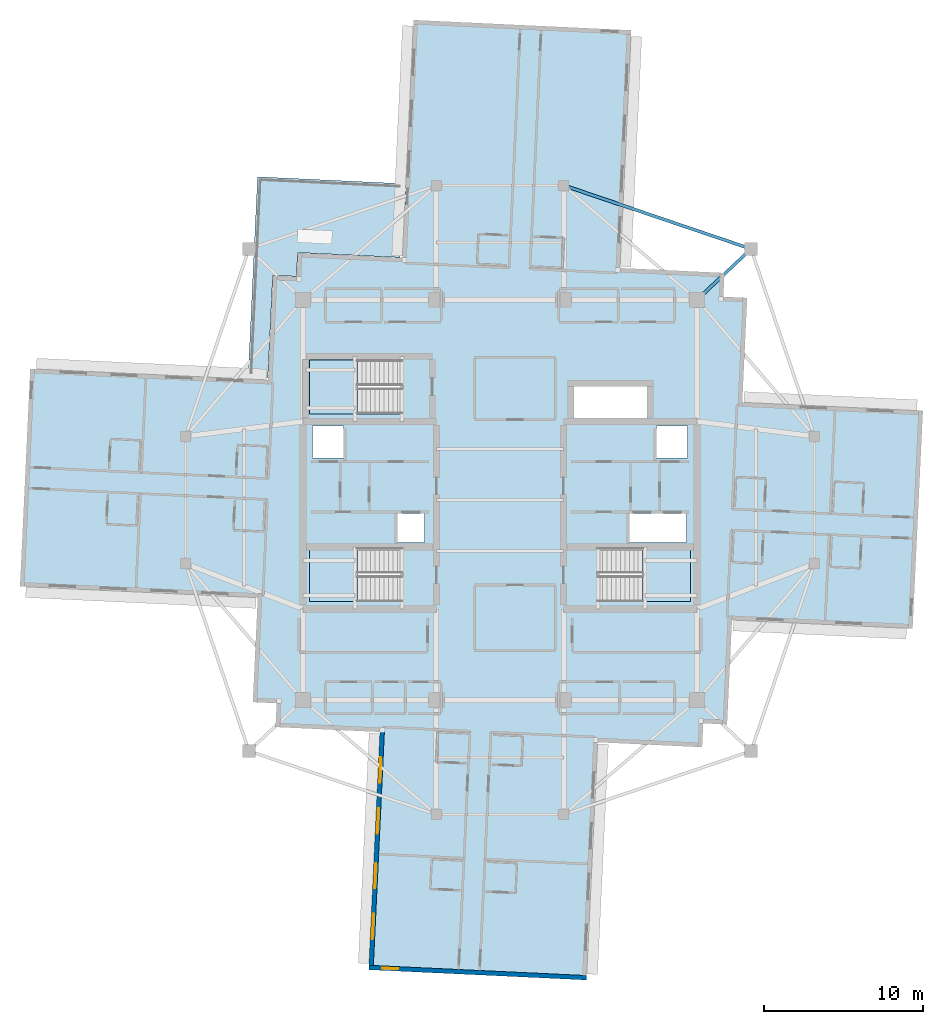
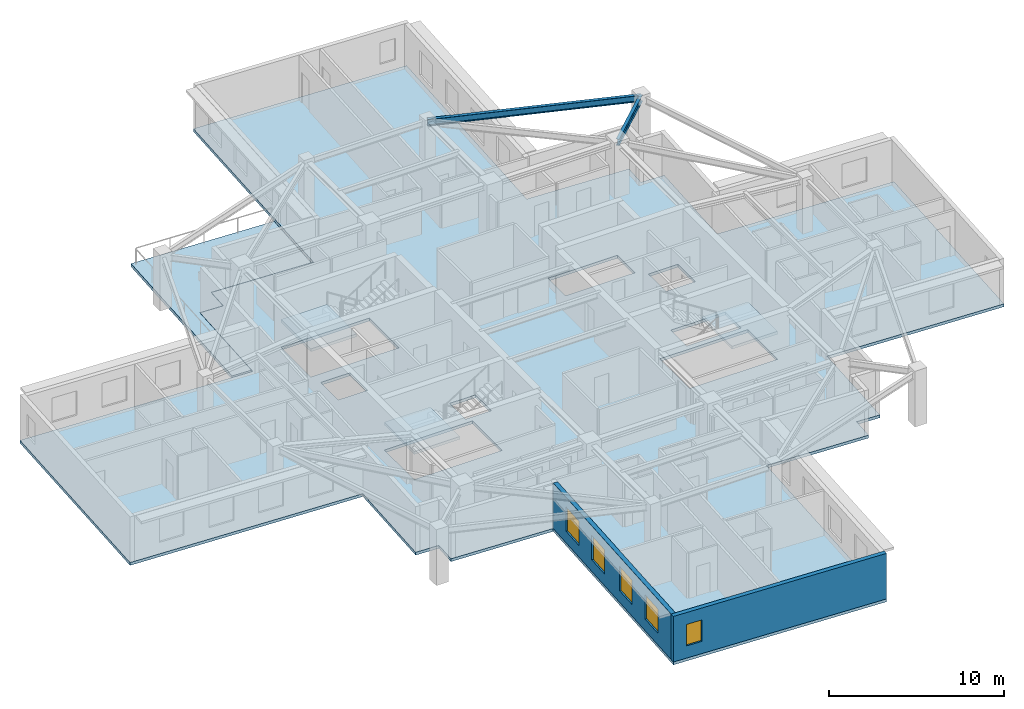
# One storey, part 2 of 12: 5 slabs, 5 windows, 2 beams, 2 walls, 5 openings, 3 elements without a shape of their own.
"""IFC4 building model written with IfcOpenShell, lengths in metres."""

from ifc_helpers import new_model, si_unit, direction, frame, frame_2d, origin, origin_2d, place, context, subcontext, project, spatial, polyline, rectangle, i_section, outline, extrude, material, layer, layer_set, material_profile, profile_set, type_object, element, fill, aggregate, save


model = new_model("IFC4")

# Units and contexts
model_context = context("Model", 3, precision=1e-05, world=origin(), true_north=direction((0.0, 1.0)))
body_context = subcontext(model_context, "Body", "Model", "MODEL_VIEW")
ifc_project = project(units=[si_unit("LENGTHUNIT", "METRE"), si_unit("AREAUNIT", "SQUARE_METRE"), si_unit("VOLUMEUNIT", "CUBIC_METRE"), si_unit("PLANEANGLEUNIT", "RADIAN"), si_unit("MASSUNIT", "GRAM", prefix="KILO")], contexts=[model_context])

# Site, building, storey
site_placement = place(None, origin())
site = spatial("IfcSite", under=ifc_project, at=site_placement, CompositionType="ELEMENT")
building_placement = place(site_placement, origin())
building = spatial("IfcBuilding", under=site, at=building_placement, Name="Qingluan Cross Belvedere", CompositionType="ELEMENT")
storey_placement = place(building_placement, frame((0.0, 0.0, 253.800048828125)))
storey = spatial("IfcBuildingStorey", under=building, at=storey_placement, Name="L63", CompositionType="ELEMENT", Elevation=253.800048828125)

# Beams
ifc_material_1 = material(Name="Steel Q420GJB", Category="steel")
ifc_material_profile = material_profile(ifc_material_1, i_section(OverallWidth=0.199951171875, OverallDepth=0.449951171875, WebThickness=0.009033203125, FlangeThickness=0.013916015625, FilletRadius=0.01611328125, at=origin_2d()), Name="HN450x200x9x14")
ifc_profile_set = profile_set([ifc_material_profile], Name="Steel Q420GJB")
beam_type = type_object("IfcBeamType", Name="Steel_Beam_HN450x200x9x14", PredefinedType="JOIST", material=ifc_profile_set)
beam_1_placement = place(storey_placement, frame((12.39990234375, 12.60009765625, 3.474853515625), z_axis=(0.728219948308, 0.685343495546, 0.0), x_axis=(-0.685343495546, 0.728219948308, 0.0)))
element("IfcBeam", 1, at=beam_1_placement, inside=storey, type_object=beam_type, Name="Corner beam 1 L63-RNE", PredefinedType="JOIST", context=body_context, shape_type="SweptSolid", body=[
    extrude(i_section(OverallWidth=0.199951171875, OverallDepth=0.449951171875, WebThickness=0.009033203125, FlangeThickness=0.013916015625, FilletRadius=0.01611328125, at=origin_2d()), origin(), (0.0, 0.0, 1.0), 4.669189453125),
])
beam_2_placement = place(storey_placement, frame((15.800048828125, 15.800048828125, 3.474853515625), z_axis=(-0.947066283324, 0.321038089628, 0.0), x_axis=(-0.321038089628, -0.947066283324, 0.0)))
element("IfcBeam", 2, at=beam_2_placement, inside=storey, type_object=beam_type, Name="Corner beam 2 L63-RNE", PredefinedType="JOIST", context=body_context, shape_type="SweptSolid", body=[
    extrude(i_section(OverallWidth=0.199951171875, OverallDepth=0.449951171875, WebThickness=0.009033203125, FlangeThickness=0.013916015625, FilletRadius=0.01611328125, at=origin_2d()), origin(), (0.0, 0.0, 1.0), 12.45947265625),
])

# Slab
ifc_material_2 = material(Name="Concrete C40", Category="concrete")
ifc_layer_1 = layer(ifc_material_2, 0.199951171875, Name="FloorSlab_200")
ifc_layer_set_1 = layer_set([ifc_layer_1], Name="Concrete C40")
slab_type_1 = type_object("IfcSlabType", Name="FloorSlab_200", PredefinedType="FLOOR", material=ifc_layer_set_1)
slab_1_placement = place(storey_placement, frame((0.0, 0.0, -0.199951171875)))
element("IfcSlab", 3, at=slab_1_placement, inside=storey, type_object=slab_type_1, Name="Structural floor slab L63", PredefinedType="FLOOR", context=body_context, shape_type="SweptSolid", body=[
    extrude(outline(polyline([(5.443115234375, -30.2099609375), (6.148681640625, -15.24658203125), (12.72119140625, -15.556396484375), (12.7919921875, -14.05810546875), (14.290283203125, -14.12890625), (14.600341796875, -7.55615234375), (25.967529296875, -8.09228515625), (26.614013671875, 5.612548828125), (15.24658203125, 6.148681640625), (15.556396484375, 12.72119140625), (14.05810546875, 12.7919921875), (14.12890625, 14.290283203125), (7.55615234375, 14.600341796875), (8.26171875, 29.563720703125), (-5.443115234375, 30.2099609375), (-6.148681640625, 15.24658203125), (-12.72119140625, 15.556396484375), (-12.7919921875, 14.05810546875), (-14.290283203125, 14.12890625), (-14.600341796875, 7.55615234375), (-29.563720703125, 8.26171875), (-30.2099609375, -5.443115234375), (-15.24658203125, -6.148681640625), (-15.556396484375, -12.72119140625), (-14.05810546875, -12.7919921875), (-14.12890625, -14.290283203125), (-7.55615234375, -14.600341796875), (-8.26171875, -29.563720703125), (5.443115234375, -30.2099609375)]), holes=[polyline([(-12.0, -3.0), (-6.179931640625, -3.0), (-6.179931640625, -6.39990234375), (-12.0, -6.39990234375), (-12.0, -3.0)]), polyline([(6.179931640625, -3.0), (12.0, -3.0), (12.0, -6.39990234375), (6.179931640625, -6.39990234375), (6.179931640625, -3.0)]), polyline([(-12.0, 8.820068359375), (-6.179931640625, 8.820068359375), (-6.179931640625, 5.419921875), (-12.0, 5.419921875), (-12.0, 8.820068359375)]), polyline([(-11.800048828125, 4.64990234375), (-9.85009765625, 4.64990234375), (-9.85009765625, 2.64990234375), (-11.800048828125, 2.64990234375), (-11.800048828125, 4.64990234375)]), polyline([(9.85009765625, 4.64990234375), (11.800048828125, 4.64990234375), (11.800048828125, 2.64990234375), (9.85009765625, 2.64990234375), (9.85009765625, 4.64990234375)]), polyline([(-6.449951171875, -0.840087890625), (-4.75, -0.840087890625), (-4.75, -2.659912109375), (-6.449951171875, -2.659912109375), (-6.449951171875, -0.840087890625)]), polyline([(8.14990234375, -0.840087890625), (11.75, -0.840087890625), (11.75, -2.659912109375), (8.14990234375, -2.659912109375), (8.14990234375, -0.840087890625)]), polyline([(4.64990234375, 7.14990234375), (9.25, 7.14990234375), (9.25, 5.14990234375), (4.64990234375, 5.14990234375), (4.64990234375, 7.14990234375)])]), origin(), (0.0, 0.0, 1.0), 0.199951171875),
])

# Stair, slab
ifc_material_3 = material(Name="Concrete C40", Category="concrete")
stair_type = type_object("IfcStairType", Name="CoreDoglegStair_1620", PredefinedType="HALF_TURN_STAIR", material=ifc_material_3)
stair_1_placement = place(storey_placement, origin())
stair_1 = element("IfcStair", 4, at=stair_1_placement, inside=storey, type_object=stair_type, Name="L63 ST1", PredefinedType="HALF_TURN_STAIR")
ifc_material_4 = material(Name="Concrete C40", Category="concrete")
ifc_layer_2 = layer(ifc_material_4, 0.179931640625, Name="StairLandingSlab_180")
ifc_layer_set_2 = layer_set([ifc_layer_2], Name="Concrete C40")
slab_type_2 = type_object("IfcSlabType", Name="StairLandingSlab_180", PredefinedType="LANDING", material=ifc_layer_set_2)
slab_2_placement = place(storey_placement, frame((0.0, 0.0, 1.75)))
slab_2 = element("IfcSlab", 5, at=slab_2_placement, type_object=slab_type_2, Name="ST1 landing 1", PredefinedType="LANDING", context=body_context, shape_type="SweptSolid", body=[
    extrude(outline(polyline([(-8.97998046875, -3.0), (-12.0, -3.0), (-12.0, -6.39990234375), (-8.97998046875, -6.39990234375), (-8.97998046875, -3.0)])), origin(), (0.0, 0.0, 1.0), 0.199951171875),
])
aggregate(stair_1, [slab_2])

stair_2_placement = place(storey_placement, origin())
stair_2 = element("IfcStair", 6, at=stair_2_placement, inside=storey, type_object=stair_type, Name="L63 ST2", PredefinedType="HALF_TURN_STAIR")
slab_3_placement = place(storey_placement, frame((0.0, 0.0, 1.75)))
slab_3 = element("IfcSlab", 7, at=slab_3_placement, type_object=slab_type_2, Name="ST2 landing 1", PredefinedType="LANDING", context=body_context, shape_type="SweptSolid", body=[
    extrude(outline(polyline([(8.97998046875, -6.39990234375), (12.0, -6.39990234375), (12.0, -3.0), (8.97998046875, -3.0), (8.97998046875, -6.39990234375)])), origin(), (0.0, 0.0, 1.0), 0.199951171875),
])
aggregate(stair_2, [slab_3])

stair_3_placement = place(storey_placement, origin())
stair_3 = element("IfcStair", 8, at=stair_3_placement, inside=storey, type_object=stair_type, Name="L63 ST3", PredefinedType="HALF_TURN_STAIR")
slab_4_placement = place(storey_placement, frame((0.0, 0.0, 1.75)))
slab_4 = element("IfcSlab", 9, at=slab_4_placement, type_object=slab_type_2, Name="ST3 landing 1", PredefinedType="LANDING", context=body_context, shape_type="SweptSolid", body=[
    extrude(outline(polyline([(-8.97998046875, 8.820068359375), (-12.0, 8.820068359375), (-12.0, 5.419921875), (-8.97998046875, 5.419921875), (-8.97998046875, 8.820068359375)])), origin(), (0.0, 0.0, 1.0), 0.199951171875),
])
aggregate(stair_3, [slab_4])

# Slab
ifc_material_5 = material(Name="Concrete C40", Category="concrete")
ifc_layer_3 = layer(ifc_material_5, 0.219970703125, Name="TerraceSlab_220")
ifc_layer_set_3 = layer_set([ifc_layer_3], Name="Concrete C40")
slab_type_3 = type_object("IfcSlabType", Name="TerraceSlab_220", PredefinedType="FLOOR", material=ifc_layer_set_3)
slab_5_placement = place(storey_placement, frame((0.0, 0.0, -0.219970703125)))
element("IfcSlab", 10, at=slab_5_placement, inside=storey, type_object=slab_type_3, Name="Spiralling winter-garden terrace slab L63", PredefinedType="FLOOR", context=body_context, shape_type="SweptSolid", body=[
    extrude(outline(polyline([(-14.603759765625, 7.696533203125), (-14.29833984375, 14.134765625), (-12.801513671875, 14.068603515625), (-12.731201171875, 15.556884765625), (-12.722900390625, 15.56640625), (-6.2880859375, 15.26318359375), (-6.06884765625, 19.907958984375), (-15.2587890625, 20.34130859375), (-15.852294921875, 7.75537109375), (-14.603759765625, 7.696533203125)])), origin(), (0.0, 0.0, 1.0), 0.219970703125),
])

# Wall, openings, windows
ifc_material_6 = material(Name="Precast concrete C45", Category="concrete")
ifc_layer_4 = layer(ifc_material_6, 0.280029296875, Name="PrecastFacadeWall_280")
ifc_layer_set_4 = layer_set([ifc_layer_4], Name="Precast concrete C45")
wall_type = type_object("IfcWallType", Name="PrecastFacadeWall_280", PredefinedType="STANDARD", material=ifc_layer_set_4)
wall_1_placement = place(storey_placement, frame((-7.416259765625, -14.60693359375, 0.0), z_axis=(0.0, 0.0, 1.0), x_axis=(-0.047117735191, -0.998889342735, 0.0)))
wall_1 = element("IfcWall", 11, at=wall_1_placement, inside=storey, type_object=wall_type, Name="Facade wall L63-SA", PredefinedType="STANDARD", context=body_context, shape_type="SweptSolid", body=[
    extrude(rectangle(XDim=14.699951171875, YDim=0.280029296875, at=frame_2d((7.35009765625, 0.0))), origin(), (0.0, 0.0, 1.0), 3.179931640625),
])
opening_1_placement = place(wall_1_placement, frame((1.60009765625, 0.0, 0.800048828125)))
opening_1 = element("IfcOpeningElement", 12, at=opening_1_placement, cuts=wall_1, Name="Opening W-04", PredefinedType="OPENING", context=body_context, shape_type="SweptSolid", body=[
    extrude(rectangle(XDim=1.60009765625, YDim=1.699951171875, at=frame_2d((0.800048828125, 0.85009765625))), frame((0.0, 0.14990234375, 0.0), z_axis=(0.0, -1.0, 0.0), x_axis=(1.0, 0.0, 0.0)), (0.0, 0.0, 1.0), 0.300048828125),
])
opening_2_placement = place(wall_1_placement, frame((4.800048828125, 0.0, 0.800048828125)))
opening_2 = element("IfcOpeningElement", 13, at=opening_2_placement, cuts=wall_1, Name="Opening W-04", PredefinedType="OPENING", context=body_context, shape_type="SweptSolid", body=[
    extrude(rectangle(XDim=1.60009765625, YDim=1.699951171875, at=frame_2d((0.800048828125, 0.85009765625))), frame((0.0, 0.14990234375, 0.0), z_axis=(0.0, -1.0, 0.0), x_axis=(1.0, 0.0, 0.0)), (0.0, 0.0, 1.0), 0.300048828125),
])
opening_3_placement = place(wall_1_placement, frame((8.25, 0.0, 0.800048828125)))
opening_3 = element("IfcOpeningElement", 14, at=opening_3_placement, cuts=wall_1, Name="Opening W-04", PredefinedType="OPENING", context=body_context, shape_type="SweptSolid", body=[
    extrude(rectangle(XDim=1.60009765625, YDim=1.699951171875, at=frame_2d((0.800048828125, 0.85009765625))), frame((0.0, 0.14990234375, 0.0), z_axis=(0.0, -1.0, 0.0), x_axis=(1.0, 0.0, 0.0)), (0.0, 0.0, 1.0), 0.300048828125),
])
opening_4_placement = place(wall_1_placement, frame((11.449951171875, 0.0, 0.800048828125)))
opening_4 = element("IfcOpeningElement", 15, at=opening_4_placement, cuts=wall_1, Name="Opening W-04", PredefinedType="OPENING", context=body_context, shape_type="SweptSolid", body=[
    extrude(rectangle(XDim=1.60009765625, YDim=1.699951171875, at=frame_2d((0.800048828125, 0.85009765625))), frame((0.0, 0.14990234375, 0.0), z_axis=(0.0, -1.0, 0.0), x_axis=(1.0, 0.0, 0.0)), (0.0, 0.0, 1.0), 0.300048828125),
])
ifc_material_7 = material(Name="Thermally broken triple Low-E glass in aluminium frame", Category="aluminium")
window_type_1 = type_object("IfcWindowType", Name="SuiteCornerWin_1600x1700", PartitioningType="SINGLE_PANEL", PredefinedType="WINDOW", material=ifc_material_7)
window_1_placement = place(opening_1_placement, origin())
window_1 = element("IfcWindow", 16, at=window_1_placement, inside=storey, type_object=window_type_1, Name="Ribbon window L63-SA-1", OverallHeight=1.699951171875, OverallWidth=1.60009765625, PartitioningType="SINGLE_PANEL", PredefinedType="WINDOW", context=body_context, shape_type="SweptSolid", body=[
    extrude(rectangle(XDim=1.60009765625, YDim=1.699951171875, at=frame_2d((0.800048828125, 0.85009765625))), frame((0.0, 0.030029296875, 0.0), z_axis=(0.0, -1.0, 0.0), x_axis=(1.0, 0.0, 0.0)), (0.0, 0.0, 1.0), 0.06005859375),
])
fill(opening_1, window_1)
window_2_placement = place(opening_2_placement, origin())
window_2 = element("IfcWindow", 17, at=window_2_placement, inside=storey, type_object=window_type_1, Name="Ribbon window L63-SA-2", OverallHeight=1.699951171875, OverallWidth=1.60009765625, PartitioningType="SINGLE_PANEL", PredefinedType="WINDOW", context=body_context, shape_type="SweptSolid", body=[
    extrude(rectangle(XDim=1.60009765625, YDim=1.699951171875, at=frame_2d((0.800048828125, 0.85009765625))), frame((0.0, 0.030029296875, 0.0), z_axis=(0.0, -1.0, 0.0), x_axis=(1.0, 0.0, 0.0)), (0.0, 0.0, 1.0), 0.06005859375),
])
fill(opening_2, window_2)
window_3_placement = place(opening_3_placement, origin())
window_3 = element("IfcWindow", 18, at=window_3_placement, inside=storey, type_object=window_type_1, Name="Ribbon window L63-SA-3", OverallHeight=1.699951171875, OverallWidth=1.60009765625, PartitioningType="SINGLE_PANEL", PredefinedType="WINDOW", context=body_context, shape_type="SweptSolid", body=[
    extrude(rectangle(XDim=1.60009765625, YDim=1.699951171875, at=frame_2d((0.800048828125, 0.85009765625))), frame((0.0, 0.030029296875, 0.0), z_axis=(0.0, -1.0, 0.0), x_axis=(1.0, 0.0, 0.0)), (0.0, 0.0, 1.0), 0.06005859375),
])
fill(opening_3, window_3)
window_4_placement = place(opening_4_placement, origin())
window_4 = element("IfcWindow", 19, at=window_4_placement, inside=storey, type_object=window_type_1, Name="Ribbon window L63-SA-4", OverallHeight=1.699951171875, OverallWidth=1.60009765625, PartitioningType="SINGLE_PANEL", PredefinedType="WINDOW", context=body_context, shape_type="SweptSolid", body=[
    extrude(rectangle(XDim=1.60009765625, YDim=1.699951171875, at=frame_2d((0.800048828125, 0.85009765625))), frame((0.0, 0.030029296875, 0.0), z_axis=(0.0, -1.0, 0.0), x_axis=(1.0, 0.0, 0.0)), (0.0, 0.0, 1.0), 0.06005859375),
])
fill(opening_4, window_4)

# Wall, opening, window
wall_2_placement = place(storey_placement, frame((-8.255126953125, -29.423828125, 0.0), z_axis=(0.0, 0.0, 1.0), x_axis=(0.998890092147, -0.047101845086, 0.0)))
wall_2 = element("IfcWall", 20, at=wall_2_placement, inside=storey, type_object=wall_type, Name="Arm tip precast facade wall L63-S", PredefinedType="STANDARD", context=body_context, shape_type="SweptSolid", body=[
    extrude(rectangle(XDim=13.719970703125, YDim=0.280029296875, at=frame_2d((6.85986328125, 0.0))), origin(), (0.0, 0.0, 1.0), 3.179931640625),
])
opening_5_placement = place(wall_2_placement, frame((0.85009765625, 0.0, 0.85009765625)))
opening_5 = element("IfcOpeningElement", 21, at=opening_5_placement, cuts=wall_2, Name="Opening W-03", PredefinedType="OPENING", context=body_context, shape_type="SweptSolid", body=[
    extrude(rectangle(XDim=1.0, YDim=1.5, at=frame_2d((0.5, 0.75))), frame((0.0, 0.14990234375, 0.0), z_axis=(0.0, -1.0, 0.0), x_axis=(1.0, 0.0, 0.0)), (0.0, 0.0, 1.0), 0.300048828125),
])
ifc_material_8 = material(Name="Thermally broken triple Low-E glass in aluminium frame", Category="aluminium")
window_type_2 = type_object("IfcWindowType", Name="TriApexWin_1000x1500", PartitioningType="SINGLE_PANEL", PredefinedType="WINDOW", material=ifc_material_8)
window_5_placement = place(opening_5_placement, origin())
window_5 = element("IfcWindow", 22, at=window_5_placement, inside=storey, type_object=window_type_2, Name="Arm tip triangular window L63-S", OverallHeight=1.5, OverallWidth=1.0, PartitioningType="SINGLE_PANEL", PredefinedType="WINDOW", context=body_context, shape_type="SweptSolid", body=[
    extrude(rectangle(XDim=1.0, YDim=1.5, at=frame_2d((0.5, 0.75))), frame((0.0, 0.030029296875, 0.0), z_axis=(0.0, -1.0, 0.0), x_axis=(1.0, 0.0, 0.0)), (0.0, 0.0, 1.0), 0.06005859375),
])
fill(opening_5, window_5)

save(model, "model.ifc")
